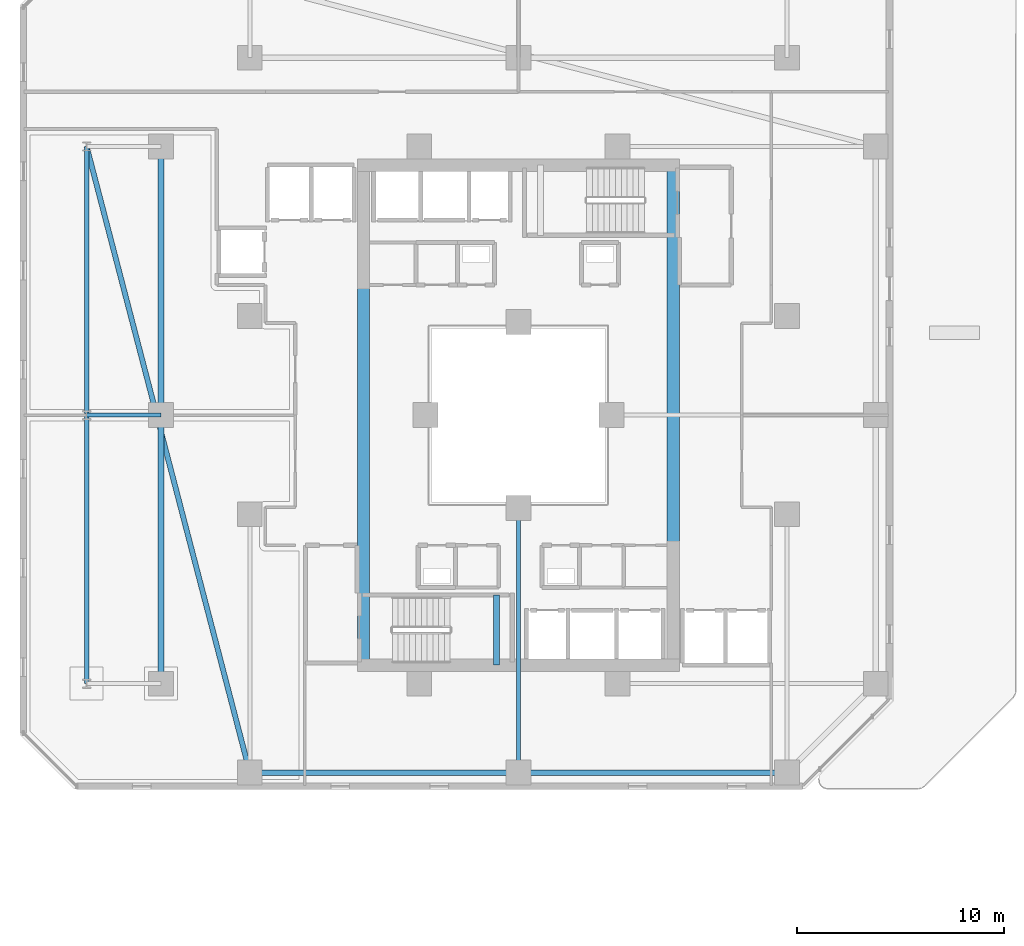
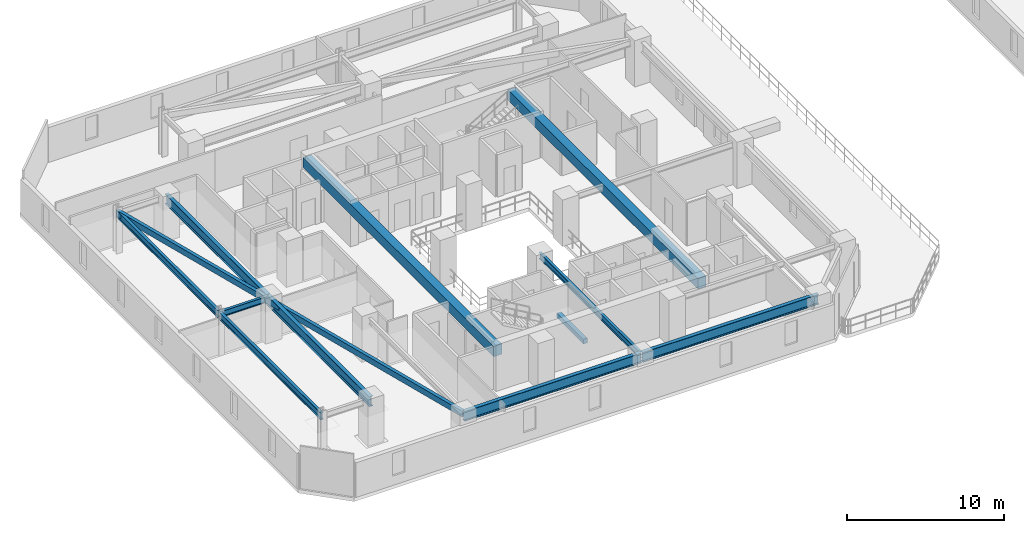
# One storey, part 4 of 33: 12 beams.
"""IFC4 building model written with IfcOpenShell, lengths in metres."""

from ifc_helpers import new_model, si_unit, direction, frame, origin, origin_2d, place, context, subcontext, project, spatial, rectangle, hollow_rectangle, i_section, extrude, material, material_profile, profile_set, type_object, element, save


model = new_model("IFC4")

# Units and contexts
model_context = context("Model", 3, precision=1e-05, world=origin(), true_north=direction((0.0, 1.0)))
body_context = subcontext(model_context, "Body", "Model", "MODEL_VIEW")
ifc_project = project(units=[si_unit("LENGTHUNIT", "METRE"), si_unit("AREAUNIT", "SQUARE_METRE"), si_unit("VOLUMEUNIT", "CUBIC_METRE"), si_unit("PLANEANGLEUNIT", "RADIAN"), si_unit("MASSUNIT", "GRAM", prefix="KILO")], contexts=[model_context])

# Site, building, storey
site_placement = place(None, origin())
site = spatial("IfcSite", under=ifc_project, at=site_placement, CompositionType="ELEMENT")
building_placement = place(site_placement, origin())
building = spatial("IfcBuilding", under=site, at=building_placement, Name="Thornwick Lancets Civic Towers", CompositionType="ELEMENT")
storey_placement = place(building_placement, frame((0.0, 0.0, 98.10009765625)))
storey = spatial("IfcBuildingStorey", under=building, at=storey_placement, Name="L25", CompositionType="ELEMENT", Elevation=98.10009765625)

# Beams
ifc_material_1 = material(Name="Concrete C60/75", Category="concrete")
ifc_material_profile_1 = material_profile(ifc_material_1, rectangle(XDim=0.60009765625, YDim=0.800048828125, at=origin_2d()), Name="RC 600x800")
ifc_profile_set_1 = profile_set([ifc_material_profile_1], Name="Concrete C60/75")
beam_type_1 = type_object("IfcBeamType", Name="BM_COUP_RC800", PredefinedType="BEAM", material=ifc_profile_set_1)
for number, where, z_axis, x_axis, name in (
    (1, (33.0, 14.89990234375, 2.919921875), (0.0, 1.0, 0.0), (-1.0, 0.0, 0.0), "CB-L25-A1"),
    (2, (18.0, 14.89990234375, 2.919921875), (0.0, 1.0, 0.0), (-1.0, 0.0, 0.0), "CB-L25-A2"),
):
    element("IfcBeam", number, at=place(storey_placement, frame(where, z_axis=z_axis, x_axis=x_axis)), inside=storey, type_object=beam_type_1, Name=name, PredefinedType="BEAM", context=body_context, shape_type="SweptSolid", body=[
        extrude(rectangle(XDim=0.60009765625, YDim=0.800048828125, at=origin_2d()), origin(), (0.0, 0.0, 1.0), 24.2001953125),
    ])
ifc_material_2 = material(Name="Steel S355JR", Category="steel")
ifc_material_profile_2 = material_profile(ifc_material_2, i_section(OverallWidth=0.2119140625, OverallDepth=0.54443359375, WebThickness=0.0126953125, FlangeThickness=0.021240234375, FilletRadius=0.0126953125, at=origin_2d()), Name="UKB 533x210x122")
ifc_profile_set_2 = profile_set([ifc_material_profile_2], Name="Steel S355JR")
beam_type_2 = type_object("IfcBeamType", Name="BM_EDGE_533_122", PredefinedType="SPANDREL", material=ifc_profile_set_2)
beam_1_placement = place(storey_placement, frame((4.60009765625, 14.0, 3.047607421875), z_axis=(0.0, 1.0, 0.0), x_axis=(-1.0, 0.0, 0.0)))
element("IfcBeam", 3, at=beam_1_placement, inside=storey, type_object=beam_type_2, Name="BM-EDGE-L25-A-S3-1", PredefinedType="SPANDREL", context=body_context, shape_type="SweptSolid", body=[
    extrude(i_section(OverallWidth=0.2119140625, OverallDepth=0.54443359375, WebThickness=0.0126953125, FlangeThickness=0.021240234375, FilletRadius=0.0126953125, at=origin_2d()), origin(), (0.0, 0.0, 1.0), 13.0),
])
beam_2_placement = place(storey_placement, frame((4.60009765625, 27.080078125, 3.047607421875), z_axis=(0.0, 1.0, 0.0), x_axis=(-1.0, 0.0, 0.0)))
element("IfcBeam", 4, at=beam_2_placement, inside=storey, type_object=beam_type_2, Name="BM-EDGE-L25-A-S3-2", PredefinedType="SPANDREL", context=body_context, shape_type="SweptSolid", body=[
    extrude(i_section(OverallWidth=0.2119140625, OverallDepth=0.54443359375, WebThickness=0.0126953125, FlangeThickness=0.021240234375, FilletRadius=0.0126953125, at=origin_2d()), origin(), (0.0, 0.0, 1.0), 12.919921875),
])
ifc_material_profile_3 = material_profile(ifc_material_2, i_section(OverallWidth=0.26806640625, OverallDepth=0.769775390625, WebThickness=0.015625, FlangeThickness=0.025390625, FilletRadius=0.0166015625, at=origin_2d()), Name="UKB 762x267x197")
ifc_profile_set_3 = profile_set([ifc_material_profile_3], Name="Steel S355JR")
beam_type_3 = type_object("IfcBeamType", Name="BM_GIRD_762_197", PredefinedType="BEAM", material=ifc_profile_set_3)
beam_3_placement = place(storey_placement, frame((12.5, 9.699951171875, 2.93505859375), z_axis=(1.0, 0.0, 0.0), x_axis=(0.0, 1.0, 0.0)))
element("IfcBeam", 5, at=beam_3_placement, inside=storey, type_object=beam_type_3, Name="BM-SPINE-L25-A-0-1", PredefinedType="BEAM", context=body_context, shape_type="SweptSolid", body=[
    extrude(i_section(OverallWidth=0.26806640625, OverallDepth=0.769775390625, WebThickness=0.015625, FlangeThickness=0.025390625, FilletRadius=0.0166015625, at=origin_2d()), origin(), (0.0, 0.0, 1.0), 13.0),
])
beam_4_placement = place(storey_placement, frame((25.580078125, 9.699951171875, 2.93505859375), z_axis=(1.0, 0.0, 0.0), x_axis=(0.0, 1.0, 0.0)))
element("IfcBeam", 6, at=beam_4_placement, inside=storey, type_object=beam_type_3, Name="BM-SPINE-L25-A-1-2", PredefinedType="BEAM", context=body_context, shape_type="SweptSolid", body=[
    extrude(i_section(OverallWidth=0.26806640625, OverallDepth=0.769775390625, WebThickness=0.015625, FlangeThickness=0.025390625, FilletRadius=0.0166015625, at=origin_2d()), origin(), (0.0, 0.0, 1.0), 12.919921875),
])
beam_5_placement = place(storey_placement, frame((8.199951171875, 14.0, 2.93505859375), z_axis=(0.0, 1.0, 0.0), x_axis=(-1.0, 0.0, 0.0)))
element("IfcBeam", 7, at=beam_5_placement, inside=storey, type_object=beam_type_3, Name="BM-SPINE-L25-A-9-10", PredefinedType="BEAM", context=body_context, shape_type="SweptSolid", body=[
    extrude(i_section(OverallWidth=0.26806640625, OverallDepth=0.769775390625, WebThickness=0.015625, FlangeThickness=0.025390625, FilletRadius=0.0166015625, at=origin_2d()), origin(), (0.0, 0.0, 1.0), 13.0),
])
beam_6_placement = place(storey_placement, frame((8.199951171875, 27.080078125, 2.93505859375), z_axis=(0.0, 1.0, 0.0), x_axis=(-1.0, 0.0, 0.0)))
element("IfcBeam", 8, at=beam_6_placement, inside=storey, type_object=beam_type_3, Name="BM-SPINE-L25-A-10-11", PredefinedType="BEAM", context=body_context, shape_type="SweptSolid", body=[
    extrude(i_section(OverallWidth=0.26806640625, OverallDepth=0.769775390625, WebThickness=0.015625, FlangeThickness=0.025390625, FilletRadius=0.0166015625, at=origin_2d()), origin(), (0.0, 0.0, 1.0), 12.919921875),
])
ifc_material_profile_4 = material_profile(ifc_material_2, i_section(OverallWidth=0.19287109375, OverallDepth=0.46728515625, WebThickness=0.011474609375, FlangeThickness=0.01953125, FilletRadius=0.01025390625, at=origin_2d()), Name="UKB 457x191x98")
ifc_profile_set_4 = profile_set([ifc_material_profile_4], Name="Steel S355JR")
beam_type_4 = type_object("IfcBeamType", Name="BM_JOIST_457_98", PredefinedType="JOIST", material=ifc_profile_set_4)
beam_7_placement = place(storey_placement, frame((25.5, 22.5, 3.086181640625), z_axis=(0.0, -1.0, 0.0), x_axis=(1.0, 0.0, 0.0)))
element("IfcBeam", 9, at=beam_7_placement, inside=storey, type_object=beam_type_4, Name="BM-RADIN-L25-A02", PredefinedType="JOIST", context=body_context, shape_type="SweptSolid", body=[
    extrude(i_section(OverallWidth=0.19287109375, OverallDepth=0.46728515625, WebThickness=0.011474609375, FlangeThickness=0.01953125, FilletRadius=0.01025390625, at=origin_2d()), origin(), (0.0, 0.0, 1.0), 12.800048828125),
])
beam_8_placement = place(storey_placement, frame((8.199951171875, 27.0, 3.086181640625), z_axis=(-1.0, 0.0, 0.0), x_axis=(0.0, -1.0, 0.0)))
element("IfcBeam", 10, at=beam_8_placement, inside=storey, type_object=beam_type_4, Name="BM-RAD-L25-A11", PredefinedType="JOIST", context=body_context, shape_type="SweptSolid", body=[
    extrude(i_section(OverallWidth=0.19287109375, OverallDepth=0.46728515625, WebThickness=0.011474609375, FlangeThickness=0.01953125, FilletRadius=0.01025390625, at=origin_2d()), origin(), (0.0, 0.0, 1.0), 3.599853515625),
])
ifc_material_profile_5 = material_profile(ifc_material_2, hollow_rectangle(XDim=0.25, YDim=0.449951171875, WallThickness=0.01611328125, at=origin_2d()), Name="RHS 450x250x16")
ifc_profile_set_5 = profile_set([ifc_material_profile_5], Name="Steel S355JR")
beam_type_5 = type_object("IfcBeamType", Name="BM_RING_RHS450", PredefinedType="BEAM", material=ifc_profile_set_5)
beam_9_placement = place(storey_placement, frame((4.60009765625, 40.0, 3.094970703125), z_axis=(0.252288590311, -0.967652038286, 0.0), x_axis=(0.967652038286, 0.252288590311, 0.0)))
element("IfcBeam", 11, at=beam_9_placement, inside=storey, type_object=beam_type_5, Name="BM-CHAMF-L25-A-C3", PredefinedType="BEAM", context=body_context, shape_type="SweptSolid", body=[
    extrude(hollow_rectangle(XDim=0.25, YDim=0.449951171875, WallThickness=0.01611328125, at=origin_2d()), origin(), (0.0, 0.0, 1.0), 31.31298828125),
])
ifc_material_3 = material(Name="Concrete C40/50", Category="concrete")
ifc_material_profile_6 = material_profile(ifc_material_3, rectangle(XDim=0.300048828125, YDim=0.35009765625, at=origin_2d()), Name="RC 300x350")
ifc_profile_set_6 = profile_set([ifc_material_profile_6], Name="Concrete C40/50")
beam_type_6 = type_object("IfcBeamType", Name="BM_STAIR_LDG", PredefinedType="BEAM", material=ifc_profile_set_6)
beam_10_placement = place(storey_placement, frame((24.43505859375, 14.89990234375, 1.3779296875), z_axis=(0.0, 1.0, 0.0), x_axis=(-1.0, 0.0, 0.0)))
element("IfcBeam", 12, at=beam_10_placement, inside=storey, type_object=beam_type_6, Name="L25 ST-A1 Landing Support Beam 1", PredefinedType="BEAM", context=body_context, shape_type="SweptSolid", body=[
    extrude(rectangle(XDim=0.300048828125, YDim=0.35009765625, at=origin_2d()), origin(), (0.0, 0.0, 1.0), 3.400146484375),
])

save(model, "model.ifc")
